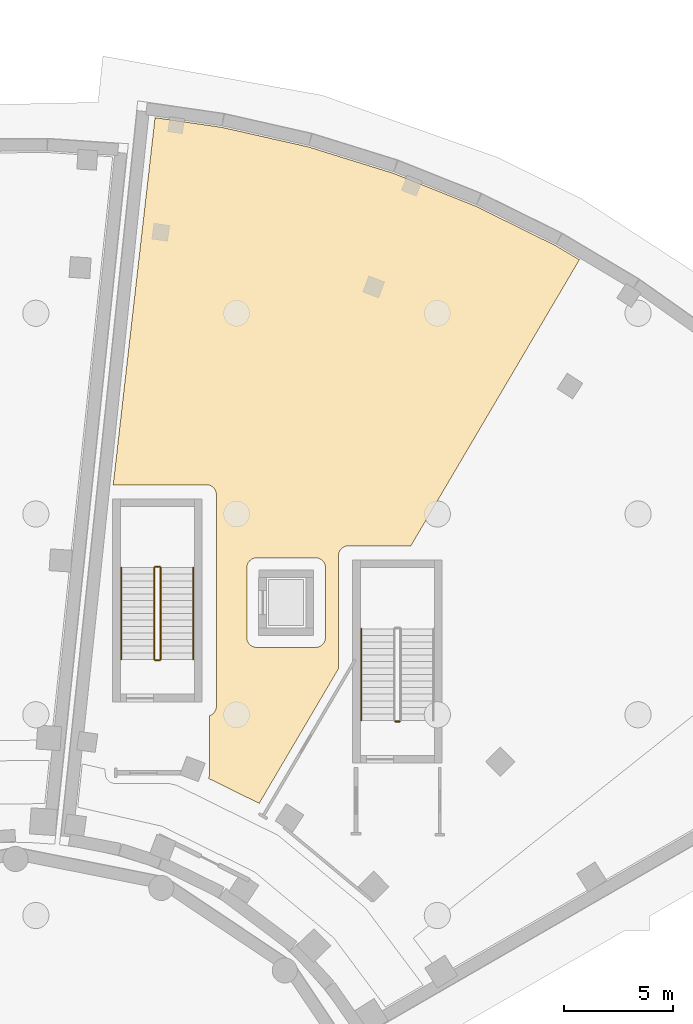
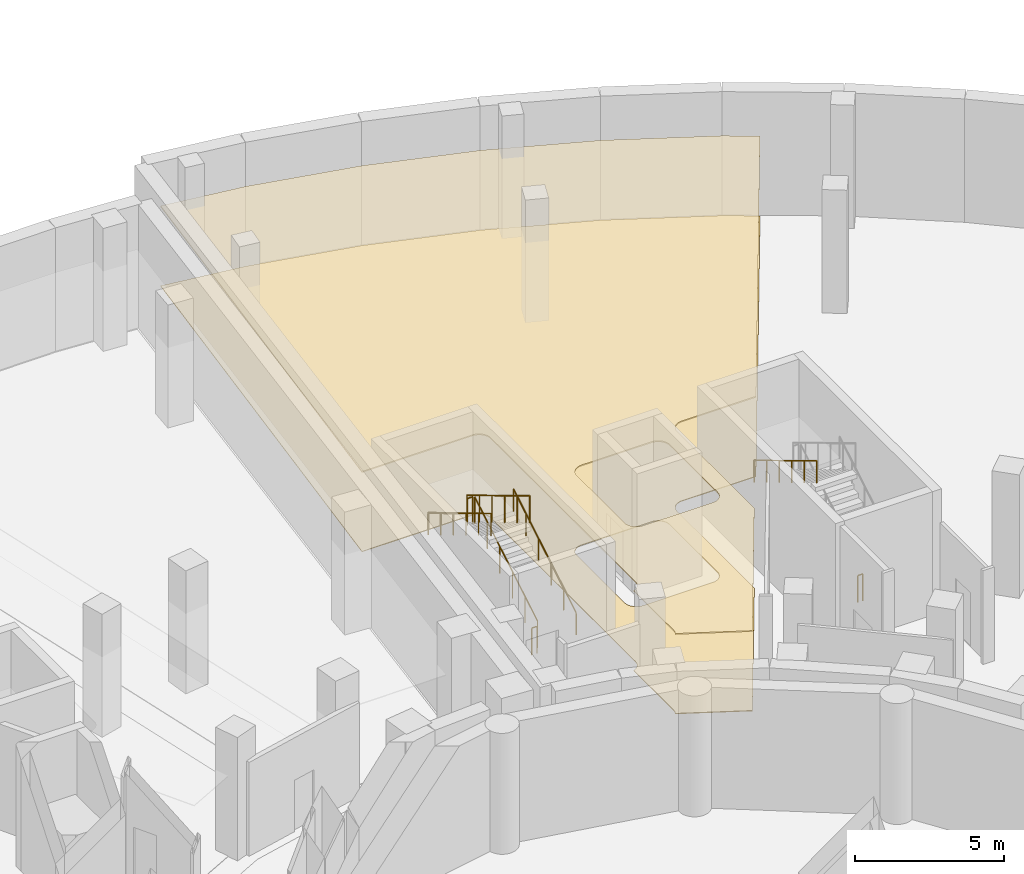
# One storey, part 29 of 33: 8 railings, 2 coverings.
"""IFC4 building model written with IfcOpenShell, lengths in metres."""

from ifc_helpers import new_model, si_unit, direction, frame, origin, origin_2d, place, context, subcontext, project, spatial, polyline, circle, outline, extrude, material, layer, layer_set, type_object, element, save


model = new_model("IFC4")

# Units and contexts
model_context = context("Model", 3, precision=1e-05, world=origin(), true_north=direction((0.0, 1.0)))
body_context = subcontext(model_context, "Body", "Model", "MODEL_VIEW")
ifc_project = project(units=[si_unit("LENGTHUNIT", "METRE"), si_unit("AREAUNIT", "SQUARE_METRE"), si_unit("VOLUMEUNIT", "CUBIC_METRE"), si_unit("PLANEANGLEUNIT", "RADIAN"), si_unit("MASSUNIT", "GRAM", prefix="KILO")], contexts=[model_context])

# Site, building, storey
site_placement = place(None, origin())
site = spatial("IfcSite", under=ifc_project, at=site_placement, CompositionType="ELEMENT")
building_placement = place(site_placement, origin())
building = spatial("IfcBuilding", under=site, at=building_placement, Name="Soyqirgoq Riverine Aquarium", CompositionType="ELEMENT")
storey_placement = place(building_placement, frame((0.0, 0.0, -5.39990234375)))
storey = spatial("IfcBuildingStorey", under=building, at=storey_placement, Name="B01", CompositionType="ELEMENT", Elevation=-5.39990234375)

# Covering
ifc_material_1 = material(Name="Perforated mineral-fibre acoustic ceiling", Category="gypsum")
ifc_layer_1 = layer(ifc_material_1, 0.050048828125)
ifc_layer_set_1 = layer_set([ifc_layer_1], Name="Perforated mineral-fibre acoustic ceiling")
covering_type_1 = type_object("IfcCoveringType", Name="AcousticBaffleCeiling_50", PredefinedType="CEILING", material=ifc_layer_set_1)
covering_1_placement = place(storey_placement, frame((0.0, 0.0, 3.25)))
element("IfcCovering", 1, at=covering_1_placement, inside=storey, type_object=covering_type_1, Name="Backup Power Control Room Suspended Ceiling", PredefinedType="CEILING", context=body_context, shape_type="SweptSolid", body=[
    extrude(outline(polyline([(62.39208984375, 108.424072265625), (65.448974609375, 107.98095703125), (69.419921875, 107.0830078125), (73.30810546875, 105.875), (77.089111328125, 104.366943359375), (80.739990234375, 102.56591796875), (81.840087890625, 101.912109375), (74.116943359375, 88.800048828125), (71.25, 88.800048828125), (71.2060546875, 88.798095703125), (71.162109375, 88.791015625), (71.118896484375, 88.781005859375), (71.077880859375, 88.76611328125), (71.0380859375, 88.7470703125), (71.0, 88.72412109375), (70.965087890625, 88.697998046875), (70.931884765625, 88.66796875), (70.902099609375, 88.635009765625), (70.8759765625, 88.60009765625), (70.85302734375, 88.56201171875), (70.833984375, 88.52197265625), (70.819091796875, 88.48095703125), (70.80908203125, 88.43798828125), (70.802001953125, 88.39404296875), (70.800048828125, 88.35009765625), (70.800048828125, 83.169921875), (67.1650390625, 76.998046875), (64.8359375, 78.14599609375), (64.8369140625, 78.14794921875), (64.85595703125, 78.18798828125), (64.87109375, 78.22900390625), (64.881103515625, 78.27197265625), (64.887939453125, 78.31591796875), (64.889892578125, 78.360107421875), (64.889892578125, 81.02294921875), (64.922119140625, 81.033935546875), (64.9619140625, 81.052978515625), (65.0, 81.075927734375), (65.034912109375, 81.10205078125), (65.068115234375, 81.132080078125), (65.097900390625, 81.1650390625), (65.1240234375, 81.199951171875), (65.14697265625, 81.238037109375), (65.166015625, 81.278076171875), (65.180908203125, 81.319091796875), (65.19091796875, 81.362060546875), (65.197998046875, 81.406005859375), (65.199951171875, 81.449951171875), (65.199951171875, 91.14990234375), (65.197998046875, 91.194091796875), (65.19091796875, 91.238037109375), (65.180908203125, 91.281005859375), (65.166015625, 91.322021484375), (65.14697265625, 91.362060546875), (65.1240234375, 91.39990234375), (65.097900390625, 91.43505859375), (65.068115234375, 91.468017578125), (65.034912109375, 91.498046875), (65.0, 91.52392578125), (64.9619140625, 91.547119140625), (64.922119140625, 91.56591796875), (64.881103515625, 91.5810546875), (64.837890625, 91.591064453125), (64.7939453125, 91.597900390625), (64.75, 91.60009765625), (60.47607421875, 91.60009765625), (62.39208984375, 108.424072265625)]), holes=[polyline([(66.60009765625, 87.800048828125), (66.60205078125, 87.843994140625), (66.60888671875, 87.887939453125), (66.618896484375, 87.930908203125), (66.634033203125, 87.971923828125), (66.653076171875, 88.011962890625), (66.676025390625, 88.050048828125), (66.701904296875, 88.0849609375), (66.73193359375, 88.117919921875), (66.764892578125, 88.14794921875), (66.800048828125, 88.174072265625), (66.837890625, 88.197021484375), (66.8779296875, 88.216064453125), (66.9189453125, 88.23095703125), (66.9619140625, 88.240966796875), (67.006103515625, 88.248046875), (67.050048828125, 88.25), (69.75, 88.25), (69.7939453125, 88.248046875), (69.837890625, 88.240966796875), (69.881103515625, 88.23095703125), (69.922119140625, 88.216064453125), (69.9619140625, 88.197021484375), (70.0, 88.174072265625), (70.034912109375, 88.14794921875), (70.068115234375, 88.117919921875), (70.097900390625, 88.0849609375), (70.1240234375, 88.050048828125), (70.14697265625, 88.011962890625), (70.166015625, 87.971923828125), (70.180908203125, 87.930908203125), (70.19091796875, 87.887939453125), (70.197998046875, 87.843994140625), (70.199951171875, 87.800048828125), (70.199951171875, 84.60009765625), (70.197998046875, 84.555908203125), (70.19091796875, 84.511962890625), (70.180908203125, 84.468994140625), (70.166015625, 84.427978515625), (70.14697265625, 84.387939453125), (70.1240234375, 84.35009765625), (70.097900390625, 84.31494140625), (70.068115234375, 84.281982421875), (70.034912109375, 84.251953125), (70.0, 84.22607421875), (69.9619140625, 84.202880859375), (69.922119140625, 84.18408203125), (69.881103515625, 84.1689453125), (69.837890625, 84.158935546875), (69.7939453125, 84.152099609375), (69.75, 84.14990234375), (67.050048828125, 84.14990234375), (67.006103515625, 84.152099609375), (66.9619140625, 84.158935546875), (66.9189453125, 84.1689453125), (66.8779296875, 84.18408203125), (66.837890625, 84.202880859375), (66.800048828125, 84.22607421875), (66.764892578125, 84.251953125), (66.73193359375, 84.281982421875), (66.701904296875, 84.31494140625), (66.676025390625, 84.35009765625), (66.653076171875, 84.387939453125), (66.634033203125, 84.427978515625), (66.618896484375, 84.468994140625), (66.60888671875, 84.511962890625), (66.60205078125, 84.555908203125), (66.60009765625, 84.60009765625), (66.60009765625, 87.800048828125)])]), origin(), (0.0, 0.0, 1.0), 0.0498046875),
])

# Railings
ifc_material_2 = material(Name="Brushed stainless steel 316L tubular handrail", Category="steel")
railing_type_1 = type_object("IfcRailingType", Name="StairPitchHandrail_920", PredefinedType="HANDRAIL", material=ifc_material_2)
railing_1_placement = place(storey_placement, frame((64.14990234375, 83.60009765625, 0.179931640625)))
element("IfcRailing", 2, at=railing_1_placement, inside=storey, type_object=railing_type_1, Name="B01 ST-5 stair handrail 1", PredefinedType="HANDRAIL", context=body_context, shape_type="SweptSolid", body=[
    extrude(circle(Radius=0.02392578125, at=origin_2d()), frame((0.0, 0.0, 0.89990234375), z_axis=(0.0, 0.857488527567, 0.514503085598), x_axis=(-1.0, 0.0, 0.0)), (0.0, 0.0, 1.0), 4.89794921875),
    extrude(circle(Radius=0.02099609375, at=origin_2d()), origin(), (0.0, 0.0, 1.0), 0.875732421875),
    extrude(circle(Radius=0.02099609375, at=origin_2d()), frame((0.0, 0.840087890625, 0.50390625)), (0.0, 0.0, 1.0), 0.875732421875),
    extrude(circle(Radius=0.02099609375, at=origin_2d()), frame((0.0, 1.679931640625, 1.008056640625)), (0.0, 0.0, 1.0), 0.875732421875),
    extrude(circle(Radius=0.02099609375, at=origin_2d()), frame((0.0, 2.52001953125, 1.511962890625)), (0.0, 0.0, 1.0), 0.875732421875),
    extrude(circle(Radius=0.02099609375, at=origin_2d()), frame((0.0, 3.35986328125, 2.01611328125)), (0.0, 0.0, 1.0), 0.875732421875),
    extrude(circle(Radius=0.02099609375, at=origin_2d()), frame((0.0, 4.199951171875, 2.52001953125)), (0.0, 0.0, 1.0), 0.875732421875),
])
for number, where, name in (
    (3, (60.85009765625, 87.800048828125, 2.8798828125), "B01 ST-5 stair handrail 2"),
    (4, (71.85009765625, 85.0, 2.8798828125), "B01 ST-6 stair handrail 2"),
):
    element("IfcRailing", number, at=place(storey_placement, frame(where)), inside=storey, type_object=railing_type_1, Name=name, PredefinedType="HANDRAIL", context=body_context, shape_type="SweptSolid", body=[
        extrude(circle(Radius=0.02392578125, at=origin_2d()), frame((0.0, 0.0, 0.89990234375), z_axis=(0.0, -0.857488527567, 0.514503085598), x_axis=(1.0, 0.0, 0.0)), (0.0, 0.0, 1.0), 4.89794921875),
        extrude(circle(Radius=0.02099609375, at=origin_2d()), origin(), (0.0, 0.0, 1.0), 0.875732421875),
        extrude(circle(Radius=0.02099609375, at=origin_2d()), frame((0.0, -0.840087890625, 0.50390625)), (0.0, 0.0, 1.0), 0.875732421875),
        extrude(circle(Radius=0.02099609375, at=origin_2d()), frame((0.0, -1.679931640625, 1.008056640625)), (0.0, 0.0, 1.0), 0.875732421875),
        extrude(circle(Radius=0.02099609375, at=origin_2d()), frame((0.0, -2.52001953125, 1.511962890625)), (0.0, 0.0, 1.0), 0.875732421875),
        extrude(circle(Radius=0.02099609375, at=origin_2d()), frame((0.0, -3.35986328125, 2.01611328125)), (0.0, 0.0, 1.0), 0.875732421875),
        extrude(circle(Radius=0.02099609375, at=origin_2d()), frame((0.0, -4.199951171875, 2.52001953125)), (0.0, 0.0, 1.0), 0.875732421875),
    ])
ifc_material_3 = material(Name="Painted steel infill stair-well guardrail", Category="steel")
railing_type_2 = type_object("IfcRailingType", Name="StairWellGuard_1120", PredefinedType="GUARDRAIL", material=ifc_material_3)
railing_2_placement = place(storey_placement, frame((62.64990234375, 83.60009765625, 0.179931640625)))
element("IfcRailing", 5, at=railing_2_placement, inside=storey, type_object=railing_type_2, Name="B01 ST-5 stair guard 1", PredefinedType="GUARDRAIL", context=body_context, shape_type="SweptSolid", body=[
    extrude(circle(Radius=0.02392578125, at=origin_2d()), frame((0.0, 0.0, 1.09619140625), z_axis=(0.0, 0.857488527567, 0.514503085598), x_axis=(-1.0, 0.0, 0.0)), (0.0, 0.0, 1.0), 4.89794921875),
    extrude(circle(Radius=0.02099609375, at=origin_2d()), origin(), (0.0, 0.0, 1.0), 1.072021484375),
    extrude(circle(Radius=0.02099609375, at=origin_2d()), frame((0.0, 0.840087890625, 0.50390625)), (0.0, 0.0, 1.0), 1.072021484375),
    extrude(circle(Radius=0.02099609375, at=origin_2d()), frame((0.0, 1.679931640625, 1.008056640625)), (0.0, 0.0, 1.0), 1.072021484375),
    extrude(circle(Radius=0.02099609375, at=origin_2d()), frame((0.0, 2.52001953125, 1.511962890625)), (0.0, 0.0, 1.0), 1.072021484375),
    extrude(circle(Radius=0.02099609375, at=origin_2d()), frame((0.0, 3.35986328125, 2.01611328125)), (0.0, 0.0, 1.0), 1.072021484375),
    extrude(circle(Radius=0.02099609375, at=origin_2d()), frame((0.0, 4.199951171875, 2.52001953125)), (0.0, 0.0, 1.0), 1.072021484375),
])
railing_3_placement = place(storey_placement, frame((62.60009765625, 87.85009765625, 2.699951171875)))
element("IfcRailing", 6, at=railing_3_placement, inside=storey, type_object=railing_type_2, Name="B01 ST-5 stair guard 2", PredefinedType="GUARDRAIL", context=body_context, shape_type="SweptSolid", body=[
    extrude(circle(Radius=0.02392578125, at=origin_2d()), frame((0.0, 0.0, 1.09619140625), z_axis=(-1.0, 0.0, 0.0), x_axis=(0.0, -1.0, 0.0)), (0.0, 0.0, 1.0), 0.2001953125),
    extrude(circle(Radius=0.02099609375, at=origin_2d()), origin(), (0.0, 0.0, 1.0), 1.072021484375),
    extrude(circle(Radius=0.02099609375, at=origin_2d()), frame((-0.2001953125, 0.0, 0.0)), (0.0, 0.0, 1.0), 1.072021484375),
])
railing_4_placement = place(storey_placement, frame((62.35009765625, 87.800048828125, 2.8798828125)))
element("IfcRailing", 7, at=railing_4_placement, inside=storey, type_object=railing_type_2, Name="B01 ST-5 stair guard 3", PredefinedType="GUARDRAIL", context=body_context, shape_type="SweptSolid", body=[
    extrude(circle(Radius=0.02392578125, at=origin_2d()), frame((0.0, 0.0, 1.09619140625), z_axis=(0.0, -0.857488527567, 0.514503085598), x_axis=(1.0, 0.0, 0.0)), (0.0, 0.0, 1.0), 4.89794921875),
    extrude(circle(Radius=0.02099609375, at=origin_2d()), origin(), (0.0, 0.0, 1.0), 1.072021484375),
    extrude(circle(Radius=0.02099609375, at=origin_2d()), frame((0.0, -0.840087890625, 0.50390625)), (0.0, 0.0, 1.0), 1.072021484375),
    extrude(circle(Radius=0.02099609375, at=origin_2d()), frame((0.0, -1.679931640625, 1.008056640625)), (0.0, 0.0, 1.0), 1.072021484375),
    extrude(circle(Radius=0.02099609375, at=origin_2d()), frame((0.0, -2.52001953125, 1.511962890625)), (0.0, 0.0, 1.0), 1.072021484375),
    extrude(circle(Radius=0.02099609375, at=origin_2d()), frame((0.0, -3.35986328125, 2.01611328125)), (0.0, 0.0, 1.0), 1.072021484375),
    extrude(circle(Radius=0.02099609375, at=origin_2d()), frame((0.0, -4.199951171875, 2.52001953125)), (0.0, 0.0, 1.0), 1.072021484375),
])
for number, where, name in (
    (8, (62.60009765625, 83.550048828125, 0.0), "B01 ST-5 stair guard 4"),
    (9, (73.60009765625, 80.75, 0.0), "B01 ST-6 stair guard 4"),
):
    element("IfcRailing", number, at=place(storey_placement, frame(where)), inside=storey, type_object=railing_type_2, Name=name, PredefinedType="GUARDRAIL", context=body_context, shape_type="SweptSolid", body=[
        extrude(circle(Radius=0.02392578125, at=origin_2d()), frame((0.0, 0.0, 1.09619140625), z_axis=(-1.0, 0.0, 0.0), x_axis=(0.0, -1.0, 0.0)), (0.0, 0.0, 1.0), 0.2001953125),
        extrude(circle(Radius=0.02099609375, at=origin_2d()), origin(), (0.0, 0.0, 1.0), 1.072021484375),
        extrude(circle(Radius=0.02099609375, at=origin_2d()), frame((-0.2001953125, 0.0, 0.0)), (0.0, 0.0, 1.0), 1.072021484375),
    ])

# Covering
ifc_material_4 = material(Name="Polished Chirchiq river-pebble terrazzo flooring", Category="concrete")
ifc_layer_2 = layer(ifc_material_4, 0.030029296875)
ifc_layer_set_2 = layer_set([ifc_layer_2], Name="Polished Chirchiq river-pebble terrazzo flooring")
covering_type_2 = type_object("IfcCoveringType", Name="TerrazzoFloorFinish_30", PredefinedType="FLOORING", material=ifc_layer_set_2)
covering_2_placement = place(storey_placement, origin())
element("IfcCovering", 10, at=covering_2_placement, inside=storey, type_object=covering_type_2, Name="Backup Power Control Room Floor Finish", PredefinedType="FLOORING", context=body_context, shape_type="SweptSolid", body=[
    extrude(outline(polyline([(62.39208984375, 108.424072265625), (65.448974609375, 107.98095703125), (69.419921875, 107.0830078125), (73.30810546875, 105.875), (77.089111328125, 104.366943359375), (80.739990234375, 102.56591796875), (81.840087890625, 101.912109375), (74.116943359375, 88.800048828125), (71.25, 88.800048828125), (71.2060546875, 88.798095703125), (71.162109375, 88.791015625), (71.118896484375, 88.781005859375), (71.077880859375, 88.76611328125), (71.0380859375, 88.7470703125), (71.0, 88.72412109375), (70.965087890625, 88.697998046875), (70.931884765625, 88.66796875), (70.902099609375, 88.635009765625), (70.8759765625, 88.60009765625), (70.85302734375, 88.56201171875), (70.833984375, 88.52197265625), (70.819091796875, 88.48095703125), (70.80908203125, 88.43798828125), (70.802001953125, 88.39404296875), (70.800048828125, 88.35009765625), (70.800048828125, 83.169921875), (67.1650390625, 76.998046875), (64.8359375, 78.14599609375), (64.8369140625, 78.14794921875), (64.85595703125, 78.18798828125), (64.87109375, 78.22900390625), (64.881103515625, 78.27197265625), (64.887939453125, 78.31591796875), (64.889892578125, 78.360107421875), (64.889892578125, 81.02294921875), (64.922119140625, 81.033935546875), (64.9619140625, 81.052978515625), (65.0, 81.075927734375), (65.034912109375, 81.10205078125), (65.068115234375, 81.132080078125), (65.097900390625, 81.1650390625), (65.1240234375, 81.199951171875), (65.14697265625, 81.238037109375), (65.166015625, 81.278076171875), (65.180908203125, 81.319091796875), (65.19091796875, 81.362060546875), (65.197998046875, 81.406005859375), (65.199951171875, 81.449951171875), (65.199951171875, 91.14990234375), (65.197998046875, 91.194091796875), (65.19091796875, 91.238037109375), (65.180908203125, 91.281005859375), (65.166015625, 91.322021484375), (65.14697265625, 91.362060546875), (65.1240234375, 91.39990234375), (65.097900390625, 91.43505859375), (65.068115234375, 91.468017578125), (65.034912109375, 91.498046875), (65.0, 91.52392578125), (64.9619140625, 91.547119140625), (64.922119140625, 91.56591796875), (64.881103515625, 91.5810546875), (64.837890625, 91.591064453125), (64.7939453125, 91.597900390625), (64.75, 91.60009765625), (60.47607421875, 91.60009765625), (62.39208984375, 108.424072265625)]), holes=[polyline([(66.60009765625, 87.800048828125), (66.60205078125, 87.843994140625), (66.60888671875, 87.887939453125), (66.618896484375, 87.930908203125), (66.634033203125, 87.971923828125), (66.653076171875, 88.011962890625), (66.676025390625, 88.050048828125), (66.701904296875, 88.0849609375), (66.73193359375, 88.117919921875), (66.764892578125, 88.14794921875), (66.800048828125, 88.174072265625), (66.837890625, 88.197021484375), (66.8779296875, 88.216064453125), (66.9189453125, 88.23095703125), (66.9619140625, 88.240966796875), (67.006103515625, 88.248046875), (67.050048828125, 88.25), (69.75, 88.25), (69.7939453125, 88.248046875), (69.837890625, 88.240966796875), (69.881103515625, 88.23095703125), (69.922119140625, 88.216064453125), (69.9619140625, 88.197021484375), (70.0, 88.174072265625), (70.034912109375, 88.14794921875), (70.068115234375, 88.117919921875), (70.097900390625, 88.0849609375), (70.1240234375, 88.050048828125), (70.14697265625, 88.011962890625), (70.166015625, 87.971923828125), (70.180908203125, 87.930908203125), (70.19091796875, 87.887939453125), (70.197998046875, 87.843994140625), (70.199951171875, 87.800048828125), (70.199951171875, 84.60009765625), (70.197998046875, 84.555908203125), (70.19091796875, 84.511962890625), (70.180908203125, 84.468994140625), (70.166015625, 84.427978515625), (70.14697265625, 84.387939453125), (70.1240234375, 84.35009765625), (70.097900390625, 84.31494140625), (70.068115234375, 84.281982421875), (70.034912109375, 84.251953125), (70.0, 84.22607421875), (69.9619140625, 84.202880859375), (69.922119140625, 84.18408203125), (69.881103515625, 84.1689453125), (69.837890625, 84.158935546875), (69.7939453125, 84.152099609375), (69.75, 84.14990234375), (67.050048828125, 84.14990234375), (67.006103515625, 84.152099609375), (66.9619140625, 84.158935546875), (66.9189453125, 84.1689453125), (66.8779296875, 84.18408203125), (66.837890625, 84.202880859375), (66.800048828125, 84.22607421875), (66.764892578125, 84.251953125), (66.73193359375, 84.281982421875), (66.701904296875, 84.31494140625), (66.676025390625, 84.35009765625), (66.653076171875, 84.387939453125), (66.634033203125, 84.427978515625), (66.618896484375, 84.468994140625), (66.60888671875, 84.511962890625), (66.60205078125, 84.555908203125), (66.60009765625, 84.60009765625), (66.60009765625, 87.800048828125)])]), origin(), (0.0, 0.0, 1.0), 0.02978515625),
])

save(model, "model.ifc")
